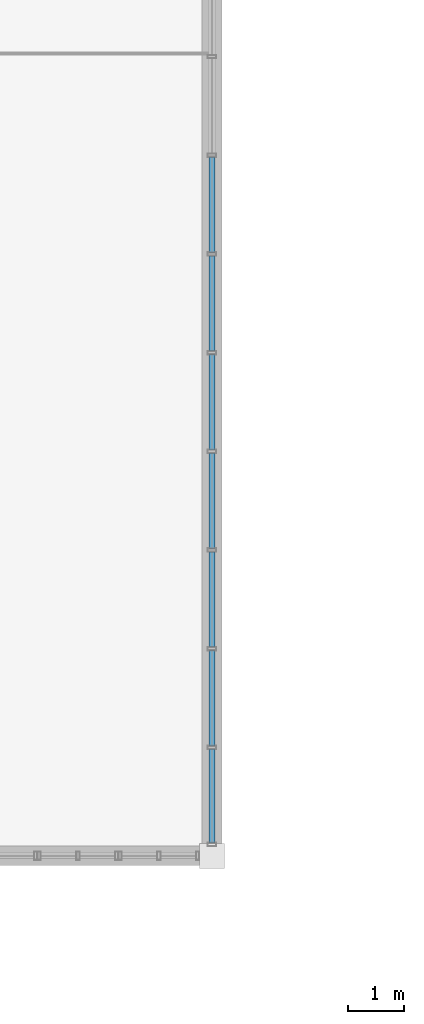
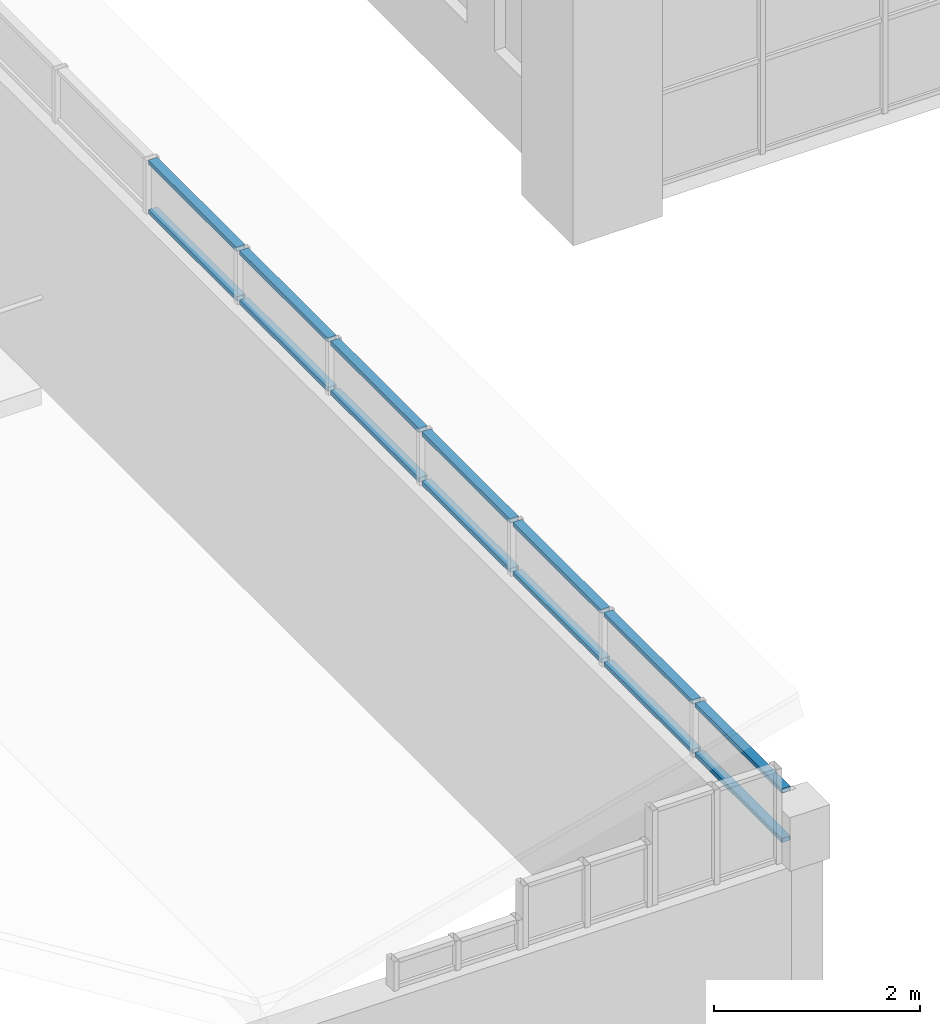
# One storey, part 24 of 92: 14 members, 1 element without a shape of its own.
"""IFC4 building model written with IfcOpenShell, lengths in metres."""

import ifcopenshell
import ifcopenshell.guid

model = None  # the IFC model being written
_history = None  # IfcOwnerHistory: only IFC2X3 demands one
_inside = {}  # id of a spatial element -> (the spatial element, [elements in it])
_under = {}  # id of a project, library or spatial element -> (it, [spatial elements below it])
_declared = {}  # id of a project -> (the project, [libraries it declares])
_typed = {}  # id of a type object -> (the type object, [elements of that type])
_made_of = {}  # id of a material, layer set ... -> (it, [elements and type objects made of it])


def new_model(schema):
    """Start an empty IFC model of exactly this schema.

    Asked for "IFC4X3", IfcOpenShell would pick the latest addendum, in which some entities
    have other attributes; the version numbers below select the first issue.
    IFC2X3 requires an IfcOwnerHistory on every rooted entity: one is made here for all.
    """
    global model, _history
    if schema == "IFC4X3":
        model = ifcopenshell.file(schema_version=(4, 3, 0, 0))
    else:
        model = ifcopenshell.file(schema=schema)
    _inside.clear()
    _under.clear()
    _declared.clear()
    _typed.clear()
    _made_of.clear()
    _history = None
    if model.schema == "IFC2X3":
        org = make("IfcOrganization", Name="unknown")
        user = make(
            "IfcPersonAndOrganization",
            ThePerson=make("IfcPerson", FamilyName="unknown"),
            TheOrganization=org,
        )
        app = make(
            "IfcApplication",
            ApplicationDeveloper=org,
            Version="unknown",
            ApplicationFullName="unknown",
            ApplicationIdentifier="unknown",
        )
        _history = make(
            "IfcOwnerHistory",
            OwningUser=user,
            OwningApplication=app,
            ChangeAction="ADDED",
            CreationDate=0,
        )
    return model


def make(cls, **values):
    """One entity of the class cls with the attributes given. An attribute that is None is left unset."""
    return model.create_entity(
        cls, **{name: value for name, value in values.items() if value is not None}
    )


def rooted(cls, **values):
    """An entity with a GlobalId (a new one), such as an element, a storey or a relation."""
    return make(cls, GlobalId=ifcopenshell.guid.new(), OwnerHistory=_history, **values)


def si_unit(unit_type, name, prefix=None):
    """IfcSIUnit, for example si_unit("LENGTHUNIT", "METRE", prefix="MILLI")."""
    return make("IfcSIUnit", UnitType=unit_type, Prefix=prefix, Name=name)


def assignment(units):
    """IfcUnitAssignment: the units of a project."""
    return None if units is None else make("IfcUnitAssignment", Units=units)


def point(xyz):
    """IfcCartesianPoint."""
    return None if xyz is None else make("IfcCartesianPoint", Coordinates=xyz)


def direction(xyz):
    """IfcDirection."""
    return None if xyz is None else make("IfcDirection", DirectionRatios=xyz)


def frame(location, z_axis=None, x_axis=None):
    """IfcAxis2Placement3D, a coordinate frame: its origin and axes. An axis left out is left unset."""
    return make(
        "IfcAxis2Placement3D",
        Location=point(location),
        Axis=direction(z_axis),
        RefDirection=direction(x_axis),
    )


def frame_2d(location, x_axis=None):
    """IfcAxis2Placement2D, a coordinate frame in the plane: its origin and x axis."""
    return make(
        "IfcAxis2Placement2D", Location=point(location), RefDirection=direction(x_axis)
    )


def origin():
    """The frame at (0, 0, 0) with its axes left unset."""
    return frame((0.0, 0.0, 0.0))


def origin_2d():
    """The frame at (0, 0) in the plane with its x axis left unset."""
    return frame_2d((0.0, 0.0))


def place(relative_to, where):
    """IfcLocalPlacement: puts the frame where relative to a parent placement (None: the world)."""
    return make(
        "IfcLocalPlacement", PlacementRelTo=relative_to, RelativePlacement=where
    )


def context(
    kind, dimensions, precision=None, world=None, true_north=None, identifier=None
):
    """IfcGeometricRepresentationContext, for example the 3D "Model" context."""
    return make(
        "IfcGeometricRepresentationContext",
        ContextIdentifier=identifier,
        ContextType=kind,
        CoordinateSpaceDimension=dimensions,
        Precision=precision,
        WorldCoordinateSystem=world,
        TrueNorth=true_north,
    )


def subcontext(parent, identifier, kind, view, scale=None):
    """IfcGeometricRepresentationSubContext, for example "Body" below "Model"."""
    return make(
        "IfcGeometricRepresentationSubContext",
        ContextIdentifier=identifier,
        ContextType=kind,
        ParentContext=parent,
        TargetScale=scale,
        TargetView=view,
    )


def project(units=None, contexts=None):
    """IfcProject with its units and contexts."""
    return rooted(
        "IfcProject",
        Name="project",
        RepresentationContexts=contexts,
        UnitsInContext=assignment(units),
    )


def spatial(cls, under=None, at=None, **own):
    """A site, building, storey or space (cls), placed at a placement, below another one or the project."""
    s = rooted(cls, ObjectPlacement=at, **own)
    if under is not None:
        _under.setdefault(under.id(), (under, []))[1].append(s)
    return s


def profile(cls, at=None, kind="AREA", **sizes):
    """A parametric profile (cls). Its sizes go by their IFC names, for example OverallWidth=200.0."""
    return make(cls, ProfileType=kind, Position=at, **sizes)


def hollow_rectangle(**sizes):
    """IfcRectangleHollowProfileDef."""
    return profile("IfcRectangleHollowProfileDef", **sizes)


def extrude(swept, where, along, depth):
    """IfcExtrudedAreaSolid: the profile swept, set in the frame where, extruded along a direction by depth."""
    return make(
        "IfcExtrudedAreaSolid",
        SweptArea=swept,
        Position=where,
        ExtrudedDirection=direction(along),
        Depth=depth,
    )


def shape(context_of_items, identifier, shape_type, items):
    """IfcShapeRepresentation: the items that make up one representation, for example the "Body"."""
    return make(
        "IfcShapeRepresentation",
        ContextOfItems=context_of_items,
        RepresentationIdentifier=identifier,
        RepresentationType=shape_type,
        Items=items,
    )


def material(Name=None, Category=None):
    """IfcMaterial."""
    return make("IfcMaterial", Name=Name, Category=Category)


def material_profile(
    of_material, cross_section, Name=None, Category=None, Priority=None
):
    """IfcMaterialProfile: a cross section and its material."""
    return make(
        "IfcMaterialProfile",
        Name=Name,
        Material=of_material,
        Profile=cross_section,
        Priority=Priority,
        Category=Category,
    )


def profile_set(profiles, Name=None, composite=None):
    """IfcMaterialProfileSet."""
    return make(
        "IfcMaterialProfileSet",
        Name=Name,
        MaterialProfiles=profiles,
        CompositeProfile=composite,
    )


def made_of(thing, what):
    """Note that an element or type object is made of a material, layer set ...; save() writes the relation."""
    if what is not None:
        _made_of.setdefault(what.id(), (what, []))[1].append(thing)
    return thing


def type_object(cls, material=None, **own):
    """A type object (cls), such as IfcWallType, which elements share."""
    return made_of(rooted(cls, **own), material)


def element(
    cls,
    number,
    at=None,
    inside=None,
    cuts=None,
    type_object=None,
    material=None,
    context=None,
    identifier="Body",
    shape_type=None,
    held_by="IfcProductDefinitionShape",
    body=None,
    shapes=None,
    **own,
):
    """One element of the class cls, such as IfcWall. Its Tag is "e" and its number.

    at: its placement. inside: the storey or other place that contains it. cuts: it is an
    opening in that element (IfcRelVoidsElement). A single representation is given by context,
    identifier, shape_type and body (its items); several are given by shapes. held_by: the class
    of the entity that holds the representations. save() writes the other relations.
    """
    e = rooted(cls, Tag="e%d" % number, ObjectPlacement=at, **own)
    if body is not None:
        shapes = [shape(context, identifier, shape_type, body)]
    if shapes is not None:
        e.Representation = make(held_by, Representations=shapes)
    if inside is not None:
        _inside.setdefault(inside.id(), (inside, []))[1].append(e)
    if cuts is not None:
        rooted(
            "IfcRelVoidsElement", RelatingBuildingElement=cuts, RelatedOpeningElement=e
        )
    if type_object is not None:
        _typed.setdefault(type_object.id(), (type_object, []))[1].append(e)
    return made_of(e, material)


def aggregate(whole, parts):
    """IfcRelAggregates: a whole, such as a stair, and the parts it consists of."""
    return rooted("IfcRelAggregates", RelatingObject=whole, RelatedObjects=parts)


def save(model, path):
    """Write the relations noted so far, then the file.

    IfcRelAggregates (storeys below a building ...), IfcRelContainedInSpatialStructure (elements
    in a storey), IfcRelDefinesByType, IfcRelAssociatesMaterial and IfcRelDeclares: one each for
    every whole, place, type object, material and project.
    """
    for whole, parts in _under.values():
        aggregate(whole, parts)
    for where, things in _inside.values():
        rooted(
            "IfcRelContainedInSpatialStructure",
            RelatedElements=things,
            RelatingStructure=where,
        )
    for kind, things in _typed.values():
        rooted("IfcRelDefinesByType", RelatedObjects=things, RelatingType=kind)
    for what, things in _made_of.values():
        rooted("IfcRelAssociatesMaterial", RelatedObjects=things, RelatingMaterial=what)
    for by, libraries in _declared.values():
        rooted("IfcRelDeclares", RelatingContext=by, RelatedDefinitions=libraries)
    model.write(path)


model = new_model("IFC4")

# Units and contexts
model_context = context("Model", 3, precision=1e-05, world=origin(), true_north=direction((0.0, 1.0)))
body_context = subcontext(model_context, "Body", "Model", "MODEL_VIEW")
ifc_project = project(units=[si_unit("LENGTHUNIT", "METRE"), si_unit("AREAUNIT", "SQUARE_METRE"), si_unit("VOLUMEUNIT", "CUBIC_METRE"), si_unit("PLANEANGLEUNIT", "RADIAN"), si_unit("MASSUNIT", "GRAM", prefix="KILO")], contexts=[model_context])

# Site, building, storey
site_placement = place(None, origin())
site = spatial("IfcSite", under=ifc_project, at=site_placement, CompositionType="ELEMENT")
building_placement = place(site_placement, origin())
building = spatial("IfcBuilding", under=site, at=building_placement, Name="Laocheng Heights Fire and Rescue Headquarters", CompositionType="ELEMENT")
storey_placement = place(building_placement, frame((0.0, 0.0, 12.60009765625)))
storey = spatial("IfcBuildingStorey", under=building, at=storey_placement, Name="L03", CompositionType="ELEMENT", Elevation=12.60009765625)

# Curtain wall, members
ifc_material_1 = material(Name="Dark anodised aluminium unitised curtain wall, low-e double glazing", Category="aluminium")
curtain_wall_type = type_object("IfcCurtainWallType", Name="CW 21250 x 636 THEATRE CLERESTORY", PredefinedType="NOTDEFINED", material=ifc_material_1)
curtain_wall_placement = place(storey_placement, origin())
curtain_wall = element("IfcCurtainWall", 1, at=curtain_wall_placement, inside=storey, type_object=curtain_wall_type, Name="X5-V THEATRE CLERESTORY EAST", PredefinedType="NOTDEFINED")
ifc_material_2 = material(Name="Dark anodised aluminium 6063-T5 extrusion", Category="aluminium")
ifc_material_profile = material_profile(ifc_material_2, hollow_rectangle(XDim=0.10009765625, YDim=0.050048828125, WallThickness=0.0029296875, at=origin_2d()), Name="AL TRANSOM 100x50x3 THEATRE CLERESTORY")
ifc_profile_set = profile_set([ifc_material_profile], Name="Dark anodised aluminium 6063-T5 extrusion")
member_type = type_object("IfcMemberType", Name="AL TRANSOM 100x50x3 THEATRE CLERESTORY", PredefinedType="USERDEFINED", material=ifc_profile_set)
member_1_placement = place(storey_placement, frame((30.0, 36.235107421875, 3.1748046875), z_axis=(0.0, 1.0, 0.0), x_axis=(-1.0, 0.0, 0.0)))
member_1 = element("IfcMember", 2, at=member_1_placement, type_object=member_type, Name="X5-V transom 1.1", ObjectType="TRANSOM", PredefinedType="USERDEFINED", context=body_context, shape_type="SweptSolid", body=[
    extrude(hollow_rectangle(XDim=0.10009765625, YDim=0.050048828125, WallThickness=0.0029296875, at=origin_2d()), origin(), (0.0, 0.0, 1.0), 1.6806640625),
])
member_2_placement = place(storey_placement, frame((30.0, 36.235107421875, 3.76123046875), z_axis=(0.0, 1.0, 0.0), x_axis=(-1.0, 0.0, 0.0)))
member_2 = element("IfcMember", 3, at=member_2_placement, type_object=member_type, Name="X5-V transom 1.2", ObjectType="TRANSOM", PredefinedType="USERDEFINED", context=body_context, shape_type="SweptSolid", body=[
    extrude(hollow_rectangle(XDim=0.10009765625, YDim=0.050048828125, WallThickness=0.0029296875, at=origin_2d()), origin(), (0.0, 0.0, 1.0), 1.6806640625),
])
member_3_placement = place(storey_placement, frame((30.0, 37.975830078125, 3.1748046875), z_axis=(0.0, 1.0, 0.0), x_axis=(-1.0, 0.0, 0.0)))
member_3 = element("IfcMember", 4, at=member_3_placement, type_object=member_type, Name="X5-V transom 2.1", ObjectType="TRANSOM", PredefinedType="USERDEFINED", context=body_context, shape_type="SweptSolid", body=[
    extrude(hollow_rectangle(XDim=0.10009765625, YDim=0.050048828125, WallThickness=0.0029296875, at=origin_2d()), origin(), (0.0, 0.0, 1.0), 1.7109375),
])
member_4_placement = place(storey_placement, frame((30.0, 37.975830078125, 3.76123046875), z_axis=(0.0, 1.0, 0.0), x_axis=(-1.0, 0.0, 0.0)))
member_4 = element("IfcMember", 5, at=member_4_placement, type_object=member_type, Name="X5-V transom 2.2", ObjectType="TRANSOM", PredefinedType="USERDEFINED", context=body_context, shape_type="SweptSolid", body=[
    extrude(hollow_rectangle(XDim=0.10009765625, YDim=0.050048828125, WallThickness=0.0029296875, at=origin_2d()), origin(), (0.0, 0.0, 1.0), 1.7109375),
])
member_5_placement = place(storey_placement, frame((30.0, 39.74658203125, 3.1748046875), z_axis=(0.0, 1.0, 0.0), x_axis=(-1.0, 0.0, 0.0)))
member_5 = element("IfcMember", 6, at=member_5_placement, type_object=member_type, Name="X5-V transom 3.1", ObjectType="TRANSOM", PredefinedType="USERDEFINED", context=body_context, shape_type="SweptSolid", body=[
    extrude(hollow_rectangle(XDim=0.10009765625, YDim=0.050048828125, WallThickness=0.0029296875, at=origin_2d()), origin(), (0.0, 0.0, 1.0), 1.7109375),
])
member_6_placement = place(storey_placement, frame((30.0, 39.74658203125, 3.76123046875), z_axis=(0.0, 1.0, 0.0), x_axis=(-1.0, 0.0, 0.0)))
member_6 = element("IfcMember", 7, at=member_6_placement, type_object=member_type, Name="X5-V transom 3.2", ObjectType="TRANSOM", PredefinedType="USERDEFINED", context=body_context, shape_type="SweptSolid", body=[
    extrude(hollow_rectangle(XDim=0.10009765625, YDim=0.050048828125, WallThickness=0.0029296875, at=origin_2d()), origin(), (0.0, 0.0, 1.0), 1.7109375),
])
member_7_placement = place(storey_placement, frame((30.0, 41.517578125, 3.1748046875), z_axis=(0.0, 1.0, 0.0), x_axis=(-1.0, 0.0, 0.0)))
member_7 = element("IfcMember", 8, at=member_7_placement, type_object=member_type, Name="X5-V transom 4.1", ObjectType="TRANSOM", PredefinedType="USERDEFINED", context=body_context, shape_type="SweptSolid", body=[
    extrude(hollow_rectangle(XDim=0.10009765625, YDim=0.050048828125, WallThickness=0.0029296875, at=origin_2d()), origin(), (0.0, 0.0, 1.0), 1.710693359375),
])
member_8_placement = place(storey_placement, frame((30.0, 41.517578125, 3.76123046875), z_axis=(0.0, 1.0, 0.0), x_axis=(-1.0, 0.0, 0.0)))
member_8 = element("IfcMember", 9, at=member_8_placement, type_object=member_type, Name="X5-V transom 4.2", ObjectType="TRANSOM", PredefinedType="USERDEFINED", context=body_context, shape_type="SweptSolid", body=[
    extrude(hollow_rectangle(XDim=0.10009765625, YDim=0.050048828125, WallThickness=0.0029296875, at=origin_2d()), origin(), (0.0, 0.0, 1.0), 1.710693359375),
])
member_9_placement = place(storey_placement, frame((30.0, 43.288330078125, 3.1748046875), z_axis=(0.0, 1.0, 0.0), x_axis=(-1.0, 0.0, 0.0)))
member_9 = element("IfcMember", 10, at=member_9_placement, type_object=member_type, Name="X5-V transom 5.1", ObjectType="TRANSOM", PredefinedType="USERDEFINED", context=body_context, shape_type="SweptSolid", body=[
    extrude(hollow_rectangle(XDim=0.10009765625, YDim=0.050048828125, WallThickness=0.0029296875, at=origin_2d()), origin(), (0.0, 0.0, 1.0), 1.7109375),
])
member_10_placement = place(storey_placement, frame((30.0, 43.288330078125, 3.76123046875), z_axis=(0.0, 1.0, 0.0), x_axis=(-1.0, 0.0, 0.0)))
member_10 = element("IfcMember", 11, at=member_10_placement, type_object=member_type, Name="X5-V transom 5.2", ObjectType="TRANSOM", PredefinedType="USERDEFINED", context=body_context, shape_type="SweptSolid", body=[
    extrude(hollow_rectangle(XDim=0.10009765625, YDim=0.050048828125, WallThickness=0.0029296875, at=origin_2d()), origin(), (0.0, 0.0, 1.0), 1.7109375),
])
member_11_placement = place(storey_placement, frame((30.0, 45.05908203125, 3.1748046875), z_axis=(0.0, 1.0, 0.0), x_axis=(-1.0, 0.0, 0.0)))
member_11 = element("IfcMember", 12, at=member_11_placement, type_object=member_type, Name="X5-V transom 6.1", ObjectType="TRANSOM", PredefinedType="USERDEFINED", context=body_context, shape_type="SweptSolid", body=[
    extrude(hollow_rectangle(XDim=0.10009765625, YDim=0.050048828125, WallThickness=0.0029296875, at=origin_2d()), origin(), (0.0, 0.0, 1.0), 1.7109375),
])
member_12_placement = place(storey_placement, frame((30.0, 45.05908203125, 3.76123046875), z_axis=(0.0, 1.0, 0.0), x_axis=(-1.0, 0.0, 0.0)))
member_12 = element("IfcMember", 13, at=member_12_placement, type_object=member_type, Name="X5-V transom 6.2", ObjectType="TRANSOM", PredefinedType="USERDEFINED", context=body_context, shape_type="SweptSolid", body=[
    extrude(hollow_rectangle(XDim=0.10009765625, YDim=0.050048828125, WallThickness=0.0029296875, at=origin_2d()), origin(), (0.0, 0.0, 1.0), 1.7109375),
])
member_13_placement = place(storey_placement, frame((30.0, 46.830078125, 3.1748046875), z_axis=(0.0, 1.0, 0.0), x_axis=(-1.0, 0.0, 0.0)))
member_13 = element("IfcMember", 14, at=member_13_placement, type_object=member_type, Name="X5-V transom 7.1", ObjectType="TRANSOM", PredefinedType="USERDEFINED", context=body_context, shape_type="SweptSolid", body=[
    extrude(hollow_rectangle(XDim=0.10009765625, YDim=0.050048828125, WallThickness=0.0029296875, at=origin_2d()), origin(), (0.0, 0.0, 1.0), 1.710693359375),
])
member_14_placement = place(storey_placement, frame((30.0, 46.830078125, 3.76123046875), z_axis=(0.0, 1.0, 0.0), x_axis=(-1.0, 0.0, 0.0)))
member_14 = element("IfcMember", 15, at=member_14_placement, type_object=member_type, Name="X5-V transom 7.2", ObjectType="TRANSOM", PredefinedType="USERDEFINED", context=body_context, shape_type="SweptSolid", body=[
    extrude(hollow_rectangle(XDim=0.10009765625, YDim=0.050048828125, WallThickness=0.0029296875, at=origin_2d()), origin(), (0.0, 0.0, 1.0), 1.710693359375),
])
aggregate(curtain_wall, [member_1, member_2, member_3, member_4, member_5, member_6, member_7, member_8, member_9, member_10, member_11, member_12, member_13, member_14])

save(model, "model.ifc")
